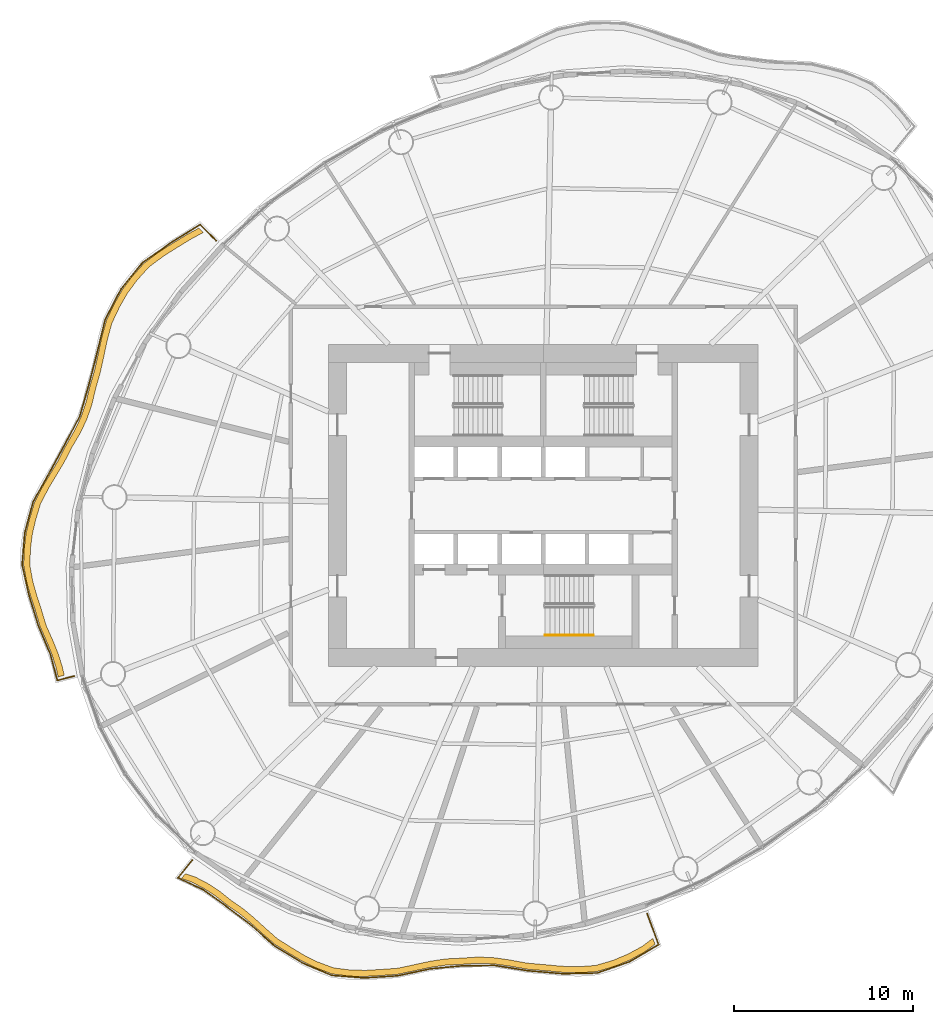
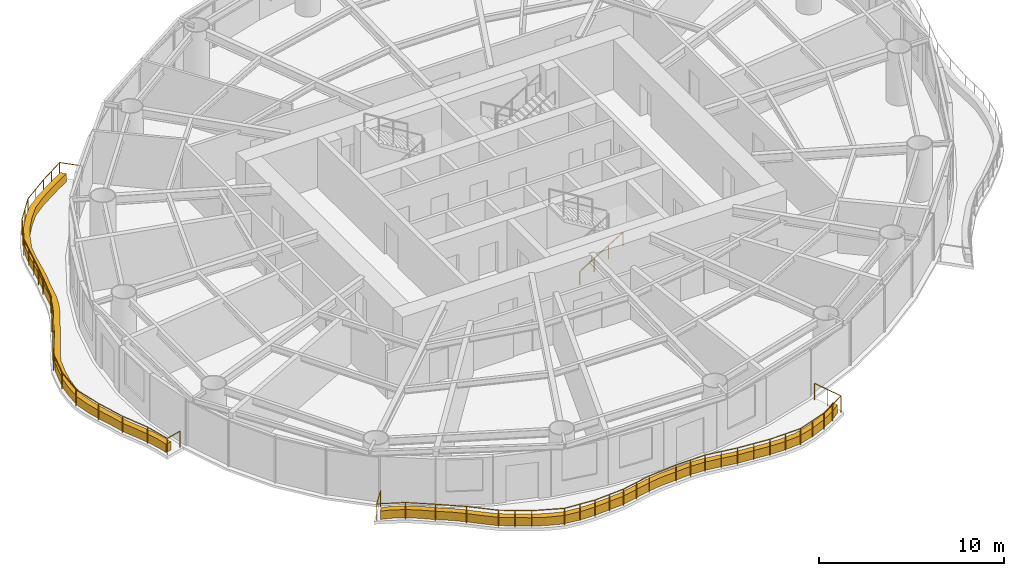
# One storey, part 12 of 14: 3 railings, 2 coverings.
"""IFC4 building model written with IfcOpenShell, lengths in metres."""

from ifc_helpers import new_model, si_unit, direction, frame, origin, origin_2d, place, context, subcontext, project, spatial, polyline, circle, outline, extrude, material, type_object, element, save


model = new_model("IFC4")

# Units and contexts
model_context = context("Model", 3, precision=1e-05, world=origin(), true_north=direction((0.0, 1.0)))
body_context = subcontext(model_context, "Body", "Model", "MODEL_VIEW")
ifc_project = project(units=[si_unit("LENGTHUNIT", "METRE"), si_unit("AREAUNIT", "SQUARE_METRE"), si_unit("VOLUMEUNIT", "CUBIC_METRE"), si_unit("PLANEANGLEUNIT", "RADIAN"), si_unit("MASSUNIT", "GRAM", prefix="KILO")], contexts=[model_context])

# Site, building, storey
site_placement = place(None, origin())
site = spatial("IfcSite", under=ifc_project, at=site_placement, CompositionType="ELEMENT")
building_placement = place(site_placement, origin())
building = spatial("IfcBuilding", under=site, at=building_placement, Name="Vermilion Reach Broadcast Tower", CompositionType="ELEMENT")
storey_placement = place(building_placement, frame((0.0, 0.0, 165.0)))
storey = spatial("IfcBuildingStorey", under=building, at=storey_placement, Name="L39", CompositionType="ELEMENT", Elevation=165.0)

# Coverings
ifc_material_1 = material(Name="Planting soil and greenery")
covering_type = type_object("IfcCoveringType", Name="Balcony PLANTER", PredefinedType="USERDEFINED", material=ifc_material_1)
placement = place(storey_placement, origin())
element("IfcCovering", 1, at=placement, inside=storey, type_object=covering_type, Name="PLANTER L39 group 2", ObjectType="PLANTER", PredefinedType="USERDEFINED", context=body_context, shape_type="SweptSolid", body=[
    extrude(outline(polyline([(-25.236572265625, 15.50244140625), (-25.8701171875, 15.16357421875), (-26.675048828125, 14.673583984375), (-27.46875, 14.173583984375), (-28.308837890625, 13.540283203125), (-28.992919921875, 12.77734375), (-29.52001953125, 12.062744140625), (-29.963134765625, 11.2890625), (-30.406982421875, 10.359130859375), (-30.678955078125, 9.370849609375), (-30.865234375, 8.4814453125), (-31.06005859375, 7.5966796875), (-31.3310546875, 6.66845703125), (-31.550537109375, 5.760986328125), (-31.82568359375, 4.956298828125), (-32.189453125, 4.1865234375), (-32.66455078125, 3.375), (-33.08642578125, 2.54541015625), (-33.5263671875, 1.802978515625), (-33.973388671875, 1.0625), (-34.43310546875, 0.173583984375), (-34.708251953125, -0.754638671875), (-34.8955078125, -1.545166015625), (-34.999755859375, -2.34521484375), (-35.0390625, -3.32275390625), (-34.8671875, -4.2744140625), (-34.644775390625, -5.0556640625), (-34.390380859375, -5.8359375), (-34.1279296875, -6.732177734375), (-33.763427734375, -7.56787109375), (-33.46484375, -8.29736328125), (-33.22900390625, -9.0380859375), (-33.1064453125, -9.5771484375), (-32.767578125, -9.489013671875), (-32.884521484375, -8.9765625), (-33.120361328125, -8.23583984375), (-33.4189453125, -7.50634765625), (-33.77978515625, -6.6962890625), (-34.04052734375, -5.826171875), (-34.294921875, -5.0458984375), (-34.517333984375, -4.2646484375), (-34.689453125, -3.337890625), (-34.65185546875, -2.385009765625), (-34.5478515625, -1.5849609375), (-34.3603515625, -0.79443359375), (-34.0888671875, 0.1103515625), (-33.63427734375, 0.97607421875), (-33.187255859375, 1.716552734375), (-32.747314453125, 2.458984375), (-32.331787109375, 3.26708984375), (-31.8642578125, 4.057373046875), (-31.50048828125, 4.8271484375), (-31.22509765625, 5.6318359375), (-31.01416015625, 6.51953125), (-30.7529296875, 7.428955078125), (-30.55810546875, 8.313720703125), (-30.371826171875, 9.203125), (-30.1103515625, 10.173583984375), (-29.677734375, 11.08642578125), (-29.234619140625, 11.8603515625), (-28.70751953125, 12.57470703125), (-28.035400390625, 13.32177734375), (-27.2080078125, 13.940185546875), (-26.414306640625, 14.4404296875), (-25.609130859375, 14.93017578125), (-24.98876953125, 15.255126953125), (-25.236572265625, 15.50244140625)])), origin(), (0.0, 0.0, 1.0), 0.550048828125),
])
element("IfcCovering", 2, at=placement, inside=storey, type_object=covering_type, Name="PLANTER L39 group 3", ObjectType="PLANTER", PredefinedType="USERDEFINED", context=body_context, shape_type="SweptSolid", body=[
    extrude(outline(polyline([(-26.220703125, -20.8447265625), (-25.654296875, -21.036865234375), (-24.964111328125, -21.394287109375), (-24.31689453125, -21.8134765625), (-23.64697265625, -22.344482421875), (-22.92431640625, -22.844482421875), (-22.302490234375, -23.362548828125), (-21.69775390625, -23.915283203125), (-20.97802734375, -24.53857421875), (-20.15478515625, -25.048583984375), (-19.445556640625, -25.474365234375), (-18.71533203125, -25.83642578125), (-17.802001953125, -26.173095703125), (-16.814697265625, -26.2998046875), (-15.9755859375, -26.31494140625), (-15.12451171875, -26.26513671875), (-14.15185546875, -26.1982421875), (-13.17333984375, -25.992919921875), (-12.3125, -25.807861328125), (-11.455078125, -25.680419921875), (-10.536865234375, -25.637451171875), (-9.604248046875, -25.575439453125), (-8.729736328125, -25.61572265625), (-7.84912109375, -25.7392578125), (-6.8720703125, -25.91357421875), (-5.85888671875, -25.996826171875), (-4.939697265625, -26.08203125), (-4.030517578125, -26.114501953125), (-3.001953125, -26.04052734375), (-2.00439453125, -25.749755859375), (-1.168701171875, -25.3984375), (-0.3603515625, -24.958984375), (0.243408203125, -24.515380859375), (0.122314453125, -24.18701171875), (-0.46337890625, -24.62451171875), (-1.271728515625, -25.06396484375), (-2.107177734375, -25.415283203125), (-3.085693359375, -25.70068359375), (-4.094970703125, -25.7705078125), (-5.004150390625, -25.738037109375), (-5.92333984375, -25.653076171875), (-6.91650390625, -25.56640625), (-7.873291015625, -25.389892578125), (-8.753662109375, -25.2666015625), (-9.62841796875, -25.226318359375), (-10.53955078125, -25.28759765625), (-11.436279296875, -25.330810546875), (-12.2939453125, -25.45849609375), (-13.154541015625, -25.643310546875), (-14.11083984375, -25.8505859375), (-15.061279296875, -25.9208984375), (-15.912353515625, -25.970703125), (-16.75146484375, -25.95556640625), (-17.715576171875, -25.833984375), (-18.606201171875, -25.50390625), (-19.33642578125, -25.141845703125), (-20.045654296875, -24.7158203125), (-20.845458984375, -24.214599609375), (-21.54248046875, -23.6015625), (-22.147216796875, -23.048828125), (-22.76904296875, -22.53076171875), (-23.468994140625, -22.043212890625), (-24.11669921875, -21.5263671875), (-24.763916015625, -21.107177734375), (-25.454345703125, -20.749755859375), (-25.999267578125, -20.57373046875), (-26.220703125, -20.8447265625)])), origin(), (0.0, 0.0, 1.0), 0.550048828125),
])

# Railings
ifc_material_2 = material(Name="Stainless steel 316 balustrade", Category="steel")
railing_type_1 = type_object("IfcRailingType", Name="Balcony guard 1100", PredefinedType="BALUSTRADE", material=ifc_material_2)
railing_1_placement = place(storey_placement, frame((-24.280517578125, 14.8017578125, 0.0)))
element("IfcRailing", 3, at=railing_1_placement, inside=storey, type_object=railing_type_1, Name="Balcony guard L39 group 2", PredefinedType="BALUSTRADE", context=body_context, shape_type="SweptSolid", body=[
    extrude(circle(Radius=0.02490234375, at=origin_2d()), frame((0.0, 0.0, 1.0751953125), z_axis=(-0.70759047127, 0.706622760013, 0.0), x_axis=(-0.706622760013, -0.70759047127, 0.0)), (0.0, 0.0, 1.0), 1.261474609375),
    extrude(circle(Radius=0.02490234375, at=origin_2d()), frame((-0.892578125, 0.891357421875, 1.0751953125), z_axis=(-0.850409626474, -0.526121152588, 0.0), x_axis=(0.526121152588, -0.850409626474, 0.0)), (0.0, 0.0, 1.0), 1.836181640625),
    extrude(circle(Radius=0.02490234375, at=origin_2d()), frame((-2.4541015625, -0.07470703125, 1.0751953125), z_axis=(-0.821326921212, -0.570457788528, 0.0), x_axis=(0.570457788528, -0.821326921212, 0.0)), (0.0, 0.0, 1.0), 1.9931640625),
    extrude(circle(Radius=0.02490234375, at=origin_2d()), frame((-4.091064453125, -1.211669921875, 1.0751953125), z_axis=(-0.633841681744, -0.773462812605, 0.0), x_axis=(0.773462812605, -0.633841681744, 0.0)), (0.0, 0.0, 1.0), 1.914794921875),
    extrude(circle(Radius=0.02490234375, at=origin_2d()), frame((-5.3046875, -2.692626953125, 1.0751953125), z_axis=(-0.462011294347, -0.886874040603, 0.0), x_axis=(0.886874040603, -0.462011294347, 0.0)), (0.0, 0.0, 1.0), 1.925537109375),
    extrude(circle(Radius=0.02490234375, at=origin_2d()), frame((-6.1943359375, -4.400390625, 1.0751953125), z_axis=(-0.237846888125, -0.97130266025, 0.0), x_axis=(0.97130266025, -0.237846888125, 0.0)), (0.0, 0.0, 1.0), 1.93701171875),
    extrude(circle(Radius=0.02490234375, at=origin_2d()), frame((-6.655029296875, -6.28173828125, 1.0751953125), z_axis=(-0.249354761714, -0.968412207074, 0.0), x_axis=(0.968412207074, -0.249354761714, 0.0)), (0.0, 0.0, 1.0), 1.876953125),
    extrude(circle(Radius=0.02490234375, at=origin_2d()), frame((-7.123046875, -8.099365234375, 1.0751953125), z_axis=(-0.277895519207, -0.960611305578, 0.0), x_axis=(0.960611305578, -0.277895519207, 0.0)), (0.0, 0.0, 1.0), 1.786865234375),
    extrude(circle(Radius=0.02490234375, at=origin_2d()), frame((-7.61962890625, -9.81591796875, 1.0751953125), z_axis=(-0.468250104328, -0.883595970903, 0.0), x_axis=(0.883595970903, -0.468250104328, 0.0)), (0.0, 0.0, 1.0), 1.795166015625),
    extrude(circle(Radius=0.02490234375, at=origin_2d()), frame((-8.460205078125, -11.402099609375, 1.0751953125), z_axis=(-0.480202682879, -0.877157559026, 0.0), x_axis=(0.877157559026, -0.480202682879, 0.0)), (0.0, 0.0, 1.0), 1.7978515625),
    extrude(circle(Radius=0.02490234375, at=origin_2d()), frame((-9.323486328125, -12.97900390625, 1.0751953125), z_axis=(-0.485498793124, -0.874237337269, 0.0), x_axis=(0.874237337269, -0.485498793124, 0.0)), (0.0, 0.0, 1.0), 1.86962890625),
    extrude(circle(Radius=0.02490234375, at=origin_2d()), frame((-10.231201171875, -14.613525390625, 1.0751953125), z_axis=(-0.25942414804, -0.965763486271, 0.0), x_axis=(0.965763486271, -0.25942414804, 0.0)), (0.0, 0.0, 1.0), 1.78515625),
    extrude(circle(Radius=0.02490234375, at=origin_2d()), frame((-10.6943359375, -16.337646484375, 1.0751953125), z_axis=(-0.080504449979, -0.996754249318, 0.0), x_axis=(0.996754249318, -0.080504449979, 0.0)), (0.0, 0.0, 1.0), 1.789306640625),
    extrude(circle(Radius=0.02490234375, at=origin_2d()), frame((-10.83837890625, -18.12109375, 1.0751953125), z_axis=(0.221046872718, -0.975263185023, 0.0), x_axis=(0.975263185023, 0.221046872718, 0.0)), (0.0, 0.0, 1.0), 1.78271484375),
    extrude(circle(Radius=0.02490234375, at=origin_2d()), frame((-10.4443359375, -19.859619140625, 1.0751953125), z_axis=(0.293920145778, -0.955829978556, 0.0), x_axis=(0.955829978556, 0.293920145778, 0.0)), (0.0, 0.0, 1.0), 1.760009765625),
    extrude(circle(Radius=0.02490234375, at=origin_2d()), frame((-9.927001953125, -21.5419921875, 1.0751953125), z_axis=(0.389285126039, -0.921117305583, 0.0), x_axis=(0.921117305583, 0.389285126039, 0.0)), (0.0, 0.0, 1.0), 1.705810546875),
    extrude(circle(Radius=0.02490234375, at=origin_2d()), frame((-9.262939453125, -23.11328125, 1.0751953125), z_axis=(0.258435218728, -0.96602859053, 0.0), x_axis=(0.96602859053, 0.258435218728, 0.0)), (0.0, 0.0, 1.0), 1.514404296875),
    extrude(circle(Radius=0.02490234375, at=origin_2d()), frame((-8.87158203125, -24.576171875, 1.0751953125), z_axis=(0.967885269794, 0.251392331857, 0.0), x_axis=(-0.251392331857, 0.967885269794, 0.0)), (0.0, 0.0, 1.0), 0.98486328125),
    extrude(circle(Radius=0.02490234375, at=origin_2d()), origin(), (0.0, 0.0, 1.0), 1.050048828125),
    extrude(circle(Radius=0.02490234375, at=origin_2d()), frame((-0.892578125, 0.891357421875, 0.0)), (0.0, 0.0, 1.0), 1.050048828125),
    extrude(circle(Radius=0.02490234375, at=origin_2d()), frame((-1.67333984375, 0.408203125, 0.0)), (0.0, 0.0, 1.0), 1.050048828125),
    extrude(circle(Radius=0.02490234375, at=origin_2d()), frame((-2.4541015625, -0.07470703125, 0.0)), (0.0, 0.0, 1.0), 1.050048828125),
    extrude(circle(Radius=0.02490234375, at=origin_2d()), frame((-3.2724609375, -0.64306640625, 0.0)), (0.0, 0.0, 1.0), 1.050048828125),
    extrude(circle(Radius=0.02490234375, at=origin_2d()), frame((-4.091064453125, -1.211669921875, 0.0)), (0.0, 0.0, 1.0), 1.050048828125),
    extrude(circle(Radius=0.02490234375, at=origin_2d()), frame((-4.69775390625, -1.9521484375, 0.0)), (0.0, 0.0, 1.0), 1.050048828125),
    extrude(circle(Radius=0.02490234375, at=origin_2d()), frame((-5.3046875, -2.692626953125, 0.0)), (0.0, 0.0, 1.0), 1.050048828125),
    extrude(circle(Radius=0.02490234375, at=origin_2d()), frame((-5.74951171875, -3.54638671875, 0.0)), (0.0, 0.0, 1.0), 1.050048828125),
    extrude(circle(Radius=0.02490234375, at=origin_2d()), frame((-6.1943359375, -4.400390625, 0.0)), (0.0, 0.0, 1.0), 1.050048828125),
    extrude(circle(Radius=0.02490234375, at=origin_2d()), frame((-6.4248046875, -5.341064453125, 0.0)), (0.0, 0.0, 1.0), 1.050048828125),
    extrude(circle(Radius=0.02490234375, at=origin_2d()), frame((-6.655029296875, -6.28173828125, 0.0)), (0.0, 0.0, 1.0), 1.050048828125),
    extrude(circle(Radius=0.02490234375, at=origin_2d()), frame((-6.88916015625, -7.1904296875, 0.0)), (0.0, 0.0, 1.0), 1.050048828125),
    extrude(circle(Radius=0.02490234375, at=origin_2d()), frame((-7.123046875, -8.099365234375, 0.0)), (0.0, 0.0, 1.0), 1.050048828125),
    extrude(circle(Radius=0.02490234375, at=origin_2d()), frame((-7.61962890625, -9.81591796875, 0.0)), (0.0, 0.0, 1.0), 1.050048828125),
    extrude(circle(Radius=0.02490234375, at=origin_2d()), frame((-8.460205078125, -11.402099609375, 0.0)), (0.0, 0.0, 1.0), 1.050048828125),
    extrude(circle(Radius=0.02490234375, at=origin_2d()), frame((-9.323486328125, -12.97900390625, 0.0)), (0.0, 0.0, 1.0), 1.050048828125),
    extrude(circle(Radius=0.02490234375, at=origin_2d()), frame((-9.77734375, -13.79638671875, 0.0)), (0.0, 0.0, 1.0), 1.050048828125),
    extrude(circle(Radius=0.02490234375, at=origin_2d()), frame((-10.231201171875, -14.613525390625, 0.0)), (0.0, 0.0, 1.0), 1.050048828125),
    extrude(circle(Radius=0.02490234375, at=origin_2d()), frame((-10.6943359375, -16.337646484375, 0.0)), (0.0, 0.0, 1.0), 1.050048828125),
    extrude(circle(Radius=0.02490234375, at=origin_2d()), frame((-10.83837890625, -18.12109375, 0.0)), (0.0, 0.0, 1.0), 1.050048828125),
    extrude(circle(Radius=0.02490234375, at=origin_2d()), frame((-10.4443359375, -19.859619140625, 0.0)), (0.0, 0.0, 1.0), 1.050048828125),
    extrude(circle(Radius=0.02490234375, at=origin_2d()), frame((-9.927001953125, -21.5419921875, 0.0)), (0.0, 0.0, 1.0), 1.050048828125),
    extrude(circle(Radius=0.02490234375, at=origin_2d()), frame((-9.262939453125, -23.11328125, 0.0)), (0.0, 0.0, 1.0), 1.050048828125),
    extrude(circle(Radius=0.02490234375, at=origin_2d()), frame((-8.87158203125, -24.576171875, 0.0)), (0.0, 0.0, 1.0), 1.050048828125),
    extrude(circle(Radius=0.02490234375, at=origin_2d()), frame((-7.91845703125, -24.32861328125, 0.0)), (0.0, 0.0, 1.0), 1.050048828125),
])
railing_2_placement = place(storey_placement, frame((-25.60986328125, -19.814208984375, 0.0)))
element("IfcRailing", 4, at=railing_2_placement, inside=storey, type_object=railing_type_1, Name="Balcony guard L39 group 3", PredefinedType="BALUSTRADE", context=body_context, shape_type="SweptSolid", body=[
    extrude(circle(Radius=0.02490234375, at=origin_2d()), frame((0.0, 0.0, 1.0751953125), z_axis=(-0.633112980398, -0.774059399563, 0.0), x_axis=(0.774059399563, -0.633112980398, 0.0)), (0.0, 0.0, 1.0), 1.2783203125),
    extrude(circle(Radius=0.02490234375, at=origin_2d()), frame((-0.809326171875, -0.989501953125, 1.0751953125), z_axis=(0.906547873927, -0.422103011453, 0.0), x_axis=(0.422103011453, 0.906547873927, 0.0)), (0.0, 0.0, 1.0), 1.5546875),
    extrude(circle(Radius=0.02490234375, at=origin_2d()), frame((0.60009765625, -1.645751953125, 1.0751953125), z_axis=(0.811022686485, -0.585014702384, 0.0), x_axis=(0.585014702384, 0.811022686485, 0.0)), (0.0, 0.0, 1.0), 1.630126953125),
    extrude(circle(Radius=0.02490234375, at=origin_2d()), frame((1.922119140625, -2.599365234375, 1.0751953125), z_axis=(0.797622090407, -0.603157525772, 0.0), x_axis=(0.603157525772, 0.797622090407, 0.0)), (0.0, 0.0, 1.0), 1.6923828125),
    extrude(circle(Radius=0.02490234375, at=origin_2d()), frame((3.27197265625, -3.6201171875, 1.0751953125), z_axis=(0.748424452654, -0.663220052976, 0.0), x_axis=(0.663220052976, 0.748424452654, 0.0)), (0.0, 0.0, 1.0), 1.776611328125),
    extrude(circle(Radius=0.02490234375, at=origin_2d()), frame((4.6015625, -4.79833984375, 1.0751953125), z_axis=(0.85378735889, -0.520621883711, 0.0), x_axis=(0.520621883711, 0.85378735889, 0.0)), (0.0, 0.0, 1.0), 1.80126953125),
    extrude(circle(Radius=0.02490234375, at=origin_2d()), frame((6.139404296875, -5.736083984375, 1.0751953125), z_axis=(0.920381199714, -0.391022310378, 0.0), x_axis=(0.391022310378, 0.920381199714, 0.0)), (0.0, 0.0, 1.0), 1.791259765625),
    extrude(circle(Radius=0.02490234375, at=origin_2d()), frame((7.7880859375, -6.4365234375, 1.0751953125), z_axis=(0.996974220765, -0.077732896061, 0.0), x_axis=(0.077732896061, 0.996974220765, 0.0)), (0.0, 0.0, 1.0), 1.83740234375),
    extrude(circle(Radius=0.02490234375, at=origin_2d()), frame((9.619873046875, -6.579345703125, 1.0751953125), z_axis=(0.997995664618, 0.06328233089, 0.0), x_axis=(-0.06328233089, 0.997995664618, 0.0)), (0.0, 0.0, 1.0), 1.83251953125),
    extrude(circle(Radius=0.02490234375, at=origin_2d()), frame((11.44873046875, -6.46337890625, 1.0751953125), z_axis=(0.978374911646, 0.206839387596, 0.0), x_axis=(-0.206839387596, 0.978374911646, 0.0)), (0.0, 0.0, 1.0), 1.885009765625),
    extrude(circle(Radius=0.02490234375, at=origin_2d()), frame((13.29296875, -6.073486328125, 1.0751953125), z_axis=(0.995464131704, 0.095137597669, 0.0), x_axis=(-0.095137597669, 0.995464131704, 0.0)), (0.0, 0.0, 1.0), 1.78857421875),
    extrude(circle(Radius=0.02490234375, at=origin_2d()), frame((15.073486328125, -5.9033203125, 1.0751953125), z_axis=(0.99992650662, 0.012123586905, 0.0), x_axis=(-0.012123586905, 0.99992650662, 0.0)), (0.0, 0.0, 1.0), 1.8125),
    extrude(circle(Radius=0.02490234375, at=origin_2d()), frame((16.8857421875, -5.88134765625, 1.0751953125), z_axis=(0.987487449077, -0.157697615442, 0.0), x_axis=(0.157697615442, 0.987487449077, 0.0)), (0.0, 0.0, 1.0), 1.8857421875),
    extrude(circle(Radius=0.02490234375, at=origin_2d()), frame((18.747802734375, -6.1787109375, 1.0751953125), z_axis=(0.996273025536, -0.086255774234, 0.0), x_axis=(0.086255774234, 0.996273025536, 0.0)), (0.0, 0.0, 1.0), 1.944580078125),
    extrude(circle(Radius=0.02490234375, at=origin_2d()), frame((20.68505859375, -6.346435546875, 1.0751953125), z_axis=(0.999760870953, 0.021867805348, 0.0), x_axis=(-0.021867805348, 0.999760870953, 0.0)), (0.0, 0.0, 1.0), 1.942626953125),
    extrude(circle(Radius=0.02490234375, at=origin_2d()), frame((22.627197265625, -6.303955078125, 1.0751953125), z_axis=(0.94382315847, 0.330450972969, 0.0), x_axis=(-0.330450972969, 0.94382315847, 0.0)), (0.0, 0.0, 1.0), 1.94677734375),
    extrude(circle(Radius=0.02490234375, at=origin_2d()), frame((24.464599609375, -5.66064453125, 1.0751953125), z_axis=(0.861242606285, 0.508194030976, 0.0), x_axis=(-0.508194030976, 0.861242606285, 0.0)), (0.0, 0.0, 1.0), 1.84423828125),
    extrude(circle(Radius=0.02490234375, at=origin_2d()), frame((26.052978515625, -4.723388671875, 1.0751953125), z_axis=(-0.345888122643, 0.938275762564, 0.0), x_axis=(-0.938275762564, -0.345888122643, 0.0)), (0.0, 0.0, 1.0), 1.857177734375),
    extrude(circle(Radius=0.02490234375, at=origin_2d()), origin(), (0.0, 0.0, 1.0), 1.050048828125),
    extrude(circle(Radius=0.02490234375, at=origin_2d()), frame((-0.809326171875, -0.989501953125, 0.0)), (0.0, 0.0, 1.0), 1.050048828125),
    extrude(circle(Radius=0.02490234375, at=origin_2d()), frame((0.60009765625, -1.645751953125, 0.0)), (0.0, 0.0, 1.0), 1.050048828125),
    extrude(circle(Radius=0.02490234375, at=origin_2d()), frame((1.922119140625, -2.599365234375, 0.0)), (0.0, 0.0, 1.0), 1.050048828125),
    extrude(circle(Radius=0.02490234375, at=origin_2d()), frame((3.27197265625, -3.6201171875, 0.0)), (0.0, 0.0, 1.0), 1.050048828125),
    extrude(circle(Radius=0.02490234375, at=origin_2d()), frame((4.6015625, -4.79833984375, 0.0)), (0.0, 0.0, 1.0), 1.050048828125),
    extrude(circle(Radius=0.02490234375, at=origin_2d()), frame((5.37060546875, -5.26708984375, 0.0)), (0.0, 0.0, 1.0), 1.050048828125),
    extrude(circle(Radius=0.02490234375, at=origin_2d()), frame((6.139404296875, -5.736083984375, 0.0)), (0.0, 0.0, 1.0), 1.050048828125),
    extrude(circle(Radius=0.02490234375, at=origin_2d()), frame((7.7880859375, -6.4365234375, 0.0)), (0.0, 0.0, 1.0), 1.050048828125),
    extrude(circle(Radius=0.02490234375, at=origin_2d()), frame((8.7041015625, -6.5078125, 0.0)), (0.0, 0.0, 1.0), 1.050048828125),
    extrude(circle(Radius=0.02490234375, at=origin_2d()), frame((9.619873046875, -6.579345703125, 0.0)), (0.0, 0.0, 1.0), 1.050048828125),
    extrude(circle(Radius=0.02490234375, at=origin_2d()), frame((10.5341796875, -6.521484375, 0.0)), (0.0, 0.0, 1.0), 1.050048828125),
    extrude(circle(Radius=0.02490234375, at=origin_2d()), frame((11.44873046875, -6.46337890625, 0.0)), (0.0, 0.0, 1.0), 1.050048828125),
    extrude(circle(Radius=0.02490234375, at=origin_2d()), frame((12.370849609375, -6.2685546875, 0.0)), (0.0, 0.0, 1.0), 1.050048828125),
    extrude(circle(Radius=0.02490234375, at=origin_2d()), frame((13.29296875, -6.073486328125, 0.0)), (0.0, 0.0, 1.0), 1.050048828125),
    extrude(circle(Radius=0.02490234375, at=origin_2d()), frame((15.073486328125, -5.9033203125, 0.0)), (0.0, 0.0, 1.0), 1.050048828125),
    extrude(circle(Radius=0.02490234375, at=origin_2d()), frame((15.9794921875, -5.892333984375, 0.0)), (0.0, 0.0, 1.0), 1.050048828125),
    extrude(circle(Radius=0.02490234375, at=origin_2d()), frame((16.8857421875, -5.88134765625, 0.0)), (0.0, 0.0, 1.0), 1.050048828125),
    extrude(circle(Radius=0.02490234375, at=origin_2d()), frame((17.81689453125, -6.030029296875, 0.0)), (0.0, 0.0, 1.0), 1.050048828125),
    extrude(circle(Radius=0.02490234375, at=origin_2d()), frame((18.747802734375, -6.1787109375, 0.0)), (0.0, 0.0, 1.0), 1.050048828125),
    extrude(circle(Radius=0.02490234375, at=origin_2d()), frame((19.71630859375, -6.2626953125, 0.0)), (0.0, 0.0, 1.0), 1.050048828125),
    extrude(circle(Radius=0.02490234375, at=origin_2d()), frame((20.68505859375, -6.346435546875, 0.0)), (0.0, 0.0, 1.0), 1.050048828125),
    extrude(circle(Radius=0.02490234375, at=origin_2d()), frame((21.65625, -6.3251953125, 0.0)), (0.0, 0.0, 1.0), 1.050048828125),
    extrude(circle(Radius=0.02490234375, at=origin_2d()), frame((22.627197265625, -6.303955078125, 0.0)), (0.0, 0.0, 1.0), 1.050048828125),
    extrude(circle(Radius=0.02490234375, at=origin_2d()), frame((23.5458984375, -5.982421875, 0.0)), (0.0, 0.0, 1.0), 1.050048828125),
    extrude(circle(Radius=0.02490234375, at=origin_2d()), frame((24.464599609375, -5.66064453125, 0.0)), (0.0, 0.0, 1.0), 1.050048828125),
    extrude(circle(Radius=0.02490234375, at=origin_2d()), frame((25.2587890625, -5.19189453125, 0.0)), (0.0, 0.0, 1.0), 1.050048828125),
    extrude(circle(Radius=0.02490234375, at=origin_2d()), frame((26.052978515625, -4.723388671875, 0.0)), (0.0, 0.0, 1.0), 1.050048828125),
    extrude(circle(Radius=0.02490234375, at=origin_2d()), frame((25.73193359375, -3.85205078125, 0.0)), (0.0, 0.0, 1.0), 1.050048828125),
    extrude(circle(Radius=0.02490234375, at=origin_2d()), frame((25.41064453125, -2.98095703125, 0.0)), (0.0, 0.0, 1.0), 1.050048828125),
])
ifc_material_3 = material(Name="Stainless steel", Category="steel")
railing_type_2 = type_object("IfcRailingType", Name="Stair handrail", PredefinedType="HANDRAIL", material=ifc_material_3)
railing_3_placement = place(storey_placement, frame((-5.89990234375, -7.25, 0.16357421875)))
element("IfcRailing", 5, at=railing_3_placement, inside=storey, type_object=railing_type_2, Name="L39 ST3 stair handrail 1", PredefinedType="HANDRAIL", context=body_context, shape_type="SweptSolid", body=[
    extrude(circle(Radius=0.02392578125, at=origin_2d()), frame((0.0, 0.0, 0.8759765625), z_axis=(0.855178096276, 0.0, 0.518334277904), x_axis=(0.0, 1.0, 0.0)), (0.0, 0.0, 1.0), 3.1572265625),
    extrude(circle(Radius=0.02099609375, at=origin_2d()), origin(), (0.0, 0.0, 1.0), 0.851806640625),
    extrude(circle(Radius=0.02099609375, at=origin_2d()), frame((0.89990234375, 0.0, 0.54541015625)), (0.0, 0.0, 1.0), 0.851806640625),
    extrude(circle(Radius=0.02099609375, at=origin_2d()), frame((1.800048828125, 0.0, 1.091064453125)), (0.0, 0.0, 1.0), 0.851806640625),
    extrude(circle(Radius=0.02099609375, at=origin_2d()), frame((2.699951171875, 0.0, 1.636474609375)), (0.0, 0.0, 1.0), 0.851806640625),
])

save(model, "model.ifc")
